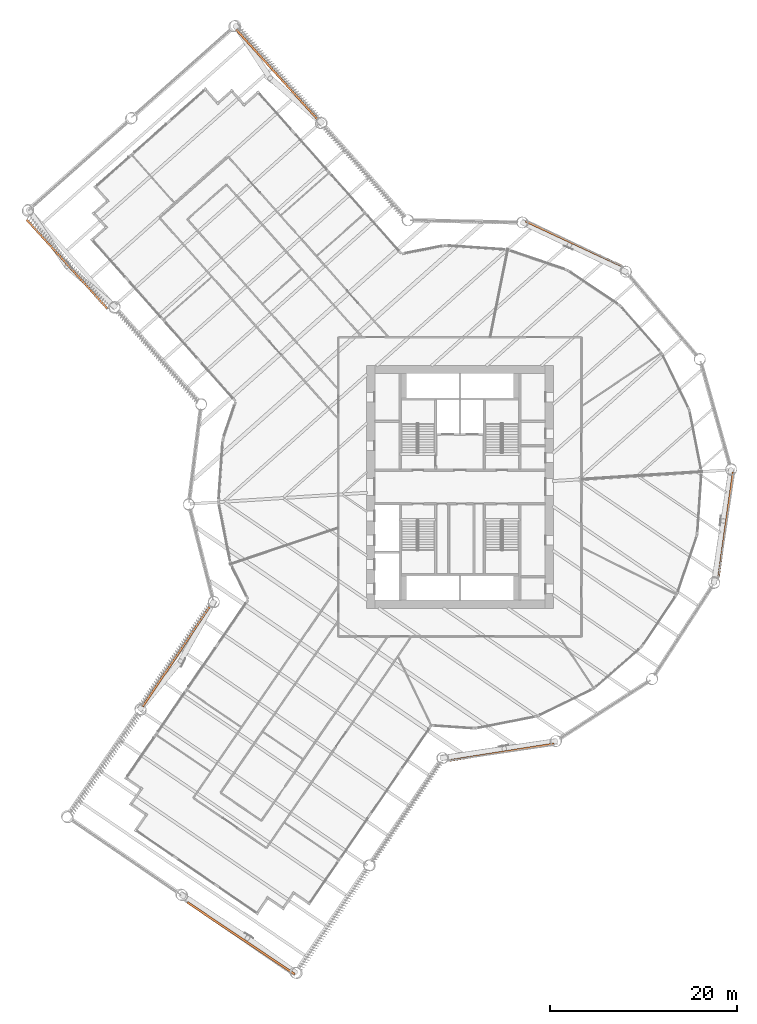
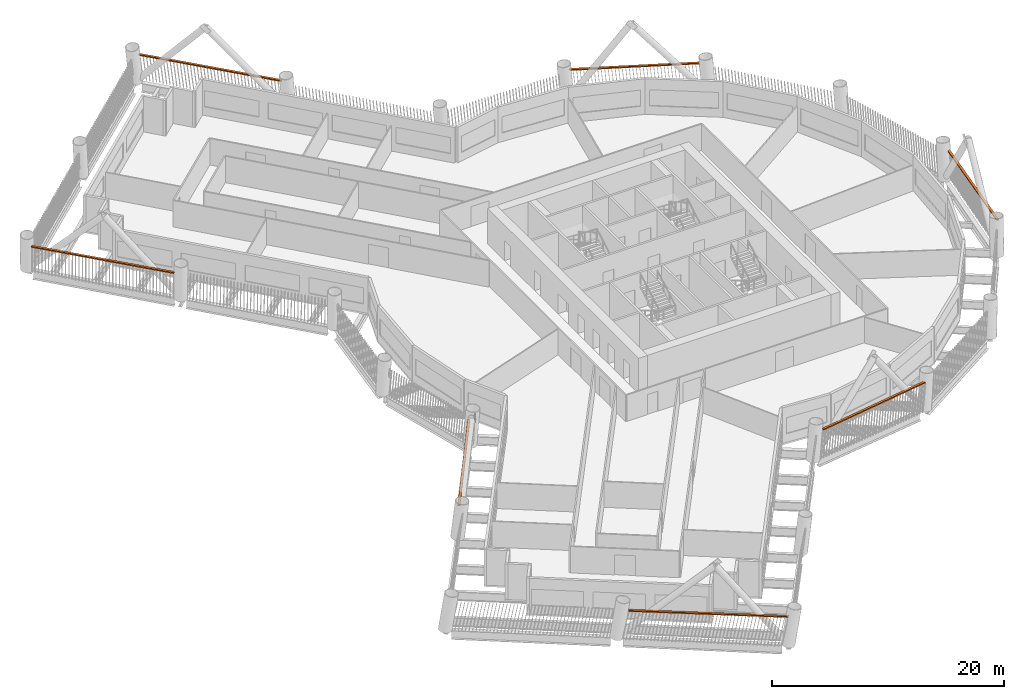
# One storey, part 22 of 22: 7 proxies.
"""IFC4 building model written with IfcOpenShell, lengths in metres."""

from ifc_helpers import new_model, si_unit, direction, frame, origin, origin_2d, place, context, subcontext, project, spatial, rectangle, extrude, material, type_object, element, save


model = new_model("IFC4")

# Units and contexts
model_context = context("Model", 3, precision=1e-05, world=origin(), true_north=direction((0.0, 1.0)))
body_context = subcontext(model_context, "Body", "Model", "MODEL_VIEW")
ifc_project = project(units=[si_unit("LENGTHUNIT", "METRE"), si_unit("AREAUNIT", "SQUARE_METRE"), si_unit("VOLUMEUNIT", "CUBIC_METRE"), si_unit("PLANEANGLEUNIT", "RADIAN"), si_unit("MASSUNIT", "GRAM", prefix="KILO")], contexts=[model_context])

# Site, building, storey
site_placement = place(None, origin())
site = spatial("IfcSite", under=ifc_project, at=site_placement, CompositionType="ELEMENT")
building_placement = place(site_placement, origin())
building = spatial("IfcBuilding", under=site, at=building_placement, Name="Tarsis Ring Headquarters", CompositionType="ELEMENT")
storey_placement = place(building_placement, frame((0.0, 0.0, 55.60009765625)))
storey = spatial("IfcBuildingStorey", under=building, at=storey_placement, Name="L11", CompositionType="ELEMENT", Elevation=55.60009765625)

# Proxies
ifc_material = material(Name="Structural steel S355", Category="steel")
building_element_proxy_type = type_object("IfcBuildingElementProxyType", Name="Screen bracket plate", PredefinedType="USERDEFINED", material=ifc_material)
proxy_1_placement = place(storey_placement, frame((-30.339111328125, -18.134033203125, 2.952392578125), z_axis=(0.0, 0.0, 1.0), x_axis=(-0.5562956155, -0.830984469274, 0.0)))
element("IfcBuildingElementProxy", 1, at=proxy_1_placement, inside=storey, type_object=building_element_proxy_type, Name="Screen bracket L11-01", ObjectType="Bracket", PredefinedType="USERDEFINED", context=body_context, shape_type="SweptSolid", body=[
    extrude(rectangle(XDim=12.90234375, YDim=0.222900390625, at=origin_2d()), origin(), (0.0, 0.0, 1.0), 0.1201171875),
])
proxy_2_placement = place(storey_placement, frame((-23.403076171875, -48.261474609375, 2.952392578125), z_axis=(0.0, 0.0, 1.0), x_axis=(0.830984469274, -0.5562956155, 0.0)))
element("IfcBuildingElementProxy", 2, at=proxy_2_placement, inside=storey, type_object=building_element_proxy_type, Name="Screen bracket L11-04", ObjectType="Bracket", PredefinedType="USERDEFINED", context=body_context, shape_type="SweptSolid", body=[
    extrude(rectangle(XDim=13.800048828125, YDim=0.222900390625, at=origin_2d()), origin(), (0.0, 0.0, 1.0), 0.1201171875),
])
for number, where, z_axis, x_axis, name in (
    (3, (4.493408203125, -28.365478515625, 2.952392578125), (0.0, 0.0, 1.0), (0.987684851031, 0.156456495694, 0.0), "Screen bracket L11-07"),
    (4, (28.441650390625, -3.982666015625, 2.952392578125), (0.0, 0.0, 1.0), (0.13867618461, 0.99033777865, 0.0), "Screen bracket L11-10"),
    (5, (12.111572265625, 26.040283203125, 2.952392578125), (0.0, 0.0, 1.0), (-0.906722092784, 0.421728640785, 0.0), "Screen bracket L11-13"),
):
    element("IfcBuildingElementProxy", number, at=place(storey_placement, frame(where, z_axis=z_axis, x_axis=x_axis)), inside=storey, type_object=building_element_proxy_type, Name=name, ObjectType="Bracket", PredefinedType="USERDEFINED", context=body_context, shape_type="SweptSolid", body=[
        extrude(rectangle(XDim=11.248779296875, YDim=0.222900390625, at=origin_2d()), origin(), (0.0, 0.0, 1.0), 0.1201171875),
    ])
for number, where, z_axis, x_axis, name in (
    (6, (-19.593994140625, 44.123779296875, 2.952392578125), (0.0, 0.0, 1.0), (-0.671720563464, 0.740804619734, 0.0), "Screen bracket L11-16"),
    (7, (-42.001220703125, 23.80615234375, 2.952392578125), (0.0, 0.0, 1.0), (0.671720563464, -0.740804619734, 0.0), "Screen bracket L11-19"),
):
    element("IfcBuildingElementProxy", number, at=place(storey_placement, frame(where, z_axis=z_axis, x_axis=x_axis)), inside=storey, type_object=building_element_proxy_type, Name=name, ObjectType="Bracket", PredefinedType="USERDEFINED", context=body_context, shape_type="SweptSolid", body=[
        extrude(rectangle(XDim=12.90234375, YDim=0.222900390625, at=origin_2d()), origin(), (0.0, 0.0, 1.0), 0.1201171875),
    ])

save(model, "model.ifc")
